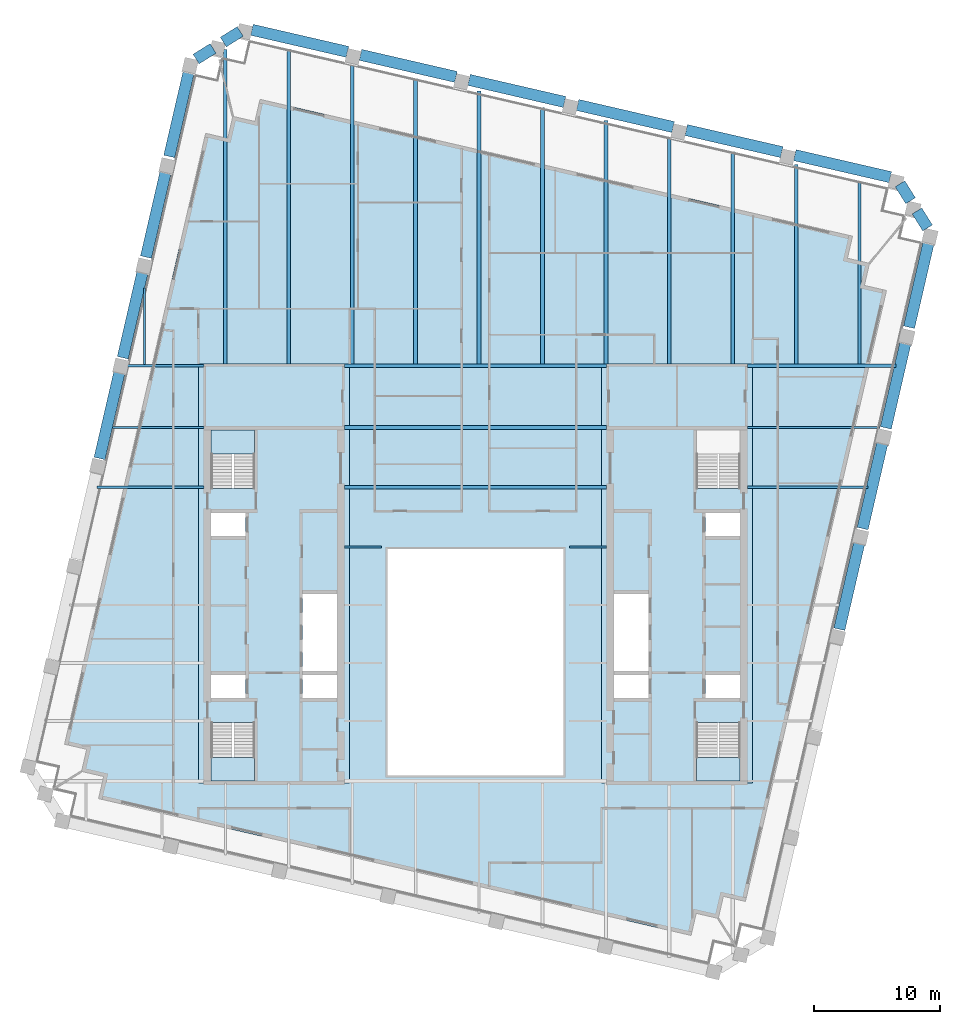
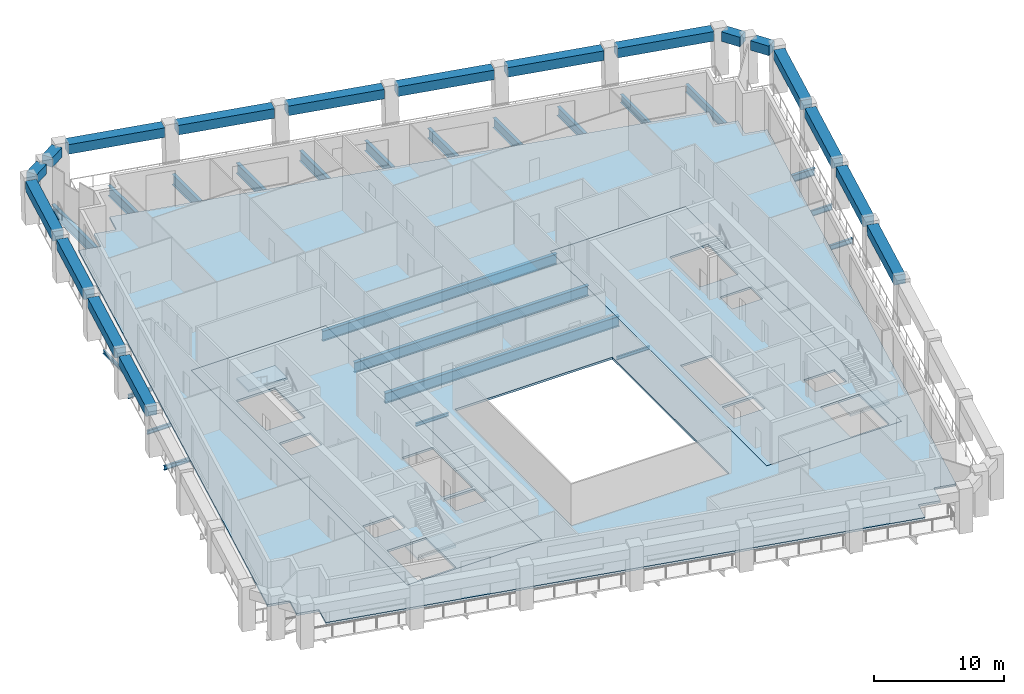
# One storey, part 2 of 10: 41 beams, 6 slabs, 3 elements without a shape of their own.
"""IFC4 building model written with IfcOpenShell, lengths in metres."""

from ifc_helpers import new_model, si_unit, direction, frame, origin, origin_2d, place, context, subcontext, project, spatial, polyline, rectangle, i_section, outline, extrude, material, layer, layer_set, material_profile, profile_set, type_object, element, aggregate, save


model = new_model("IFC4")

# Units and contexts
model_context = context("Model", 3, precision=1e-05, world=origin(), true_north=direction((0.0, 1.0)))
body_context = subcontext(model_context, "Body", "Model", "MODEL_VIEW")
ifc_project = project(units=[si_unit("LENGTHUNIT", "METRE"), si_unit("AREAUNIT", "SQUARE_METRE"), si_unit("VOLUMEUNIT", "CUBIC_METRE"), si_unit("PLANEANGLEUNIT", "RADIAN"), si_unit("MASSUNIT", "GRAM", prefix="KILO")], contexts=[model_context])

# Site, building, storey
site_placement = place(None, origin())
site = spatial("IfcSite", under=ifc_project, at=site_placement, CompositionType="ELEMENT")
building_placement = place(site_placement, origin())
building = spatial("IfcBuilding", under=site, at=building_placement, Name="Ogive Exchange Tower", CompositionType="ELEMENT")
storey_placement = place(building_placement, frame((0.0, 0.0, 264.0)))
storey = spatial("IfcBuildingStorey", under=building, at=storey_placement, Name="L57", CompositionType="ELEMENT", Elevation=264.0)

# Beams
ifc_material_1 = material(Name="Steel ASTM A992 Gr50", Category="steel")
ifc_material_profile_1 = material_profile(ifc_material_1, i_section(OverallWidth=0.300048828125, OverallDepth=0.969970703125, WebThickness=0.01611328125, FlangeThickness=0.02099609375, at=origin_2d()), Name="W1000x222")
ifc_profile_set_1 = profile_set([ifc_material_profile_1], Name="Steel ASTM A992 Gr50")
beam_type_1 = type_object("IfcBeamType", Name="Floor beam W1000x222", PredefinedType="JOIST", material=ifc_profile_set_1)
beam_1_placement = place(storey_placement, frame((5.3125, 30.695068359375, -0.68505859375), z_axis=(0.0, 1.0, 0.0), x_axis=(-1.0, 0.0, 0.0)))
element("IfcBeam", 1, at=beam_1_placement, inside=storey, type_object=beam_type_1, Name="Floor beam", PredefinedType="JOIST", context=body_context, shape_type="SweptSolid", body=[
    extrude(i_section(OverallWidth=0.300048828125, OverallDepth=0.969970703125, WebThickness=0.01611328125, FlangeThickness=0.02099609375, at=origin_2d()), origin(), (0.0, 0.0, 1.0), 20.3486328125),
])
ifc_material_profile_2 = material_profile(ifc_material_1, i_section(OverallWidth=0.300048828125, OverallDepth=0.97998046875, WebThickness=0.0166015625, FlangeThickness=0.026123046875, at=origin_2d()), Name="W1000x249")
ifc_profile_set_2 = profile_set([ifc_material_profile_2], Name="Steel ASTM A992 Gr50")
beam_type_2 = type_object("IfcBeamType", Name="Floor beam W1000x249", PredefinedType="JOIST", material=ifc_profile_set_2)
for number, where, z_axis, x_axis, name in (
    (2, (-10.419921875, 20.89990234375, -0.68994140625), (1.0, 0.0, 0.0), (0.0, 1.0, 0.0), "Floor beam"),
    (3, (-10.419921875, 25.64501953125, -0.68994140625), (1.0, 0.0, 0.0), (0.0, 1.0, 0.0), "Floor beam"),
):
    element("IfcBeam", number, at=place(storey_placement, frame(where, z_axis=z_axis, x_axis=x_axis)), inside=storey, type_object=beam_type_2, Name=name, PredefinedType="JOIST", context=body_context, shape_type="SweptSolid", body=[
        extrude(i_section(OverallWidth=0.300048828125, OverallDepth=0.97998046875, WebThickness=0.0166015625, FlangeThickness=0.026123046875, at=origin_2d()), origin(), (0.0, 0.0, 1.0), 20.83984375),
    ])
beam_2_placement = place(storey_placement, frame((-19.869384765625, 30.699951171875, -0.68994140625), z_axis=(0.0, 1.0, 0.0), x_axis=(-1.0, 0.0, 0.0)))
element("IfcBeam", 4, at=beam_2_placement, inside=storey, type_object=beam_type_2, Name="Floor beam", PredefinedType="JOIST", context=body_context, shape_type="SweptSolid", body=[
    extrude(i_section(OverallWidth=0.300048828125, OverallDepth=0.97998046875, WebThickness=0.0166015625, FlangeThickness=0.026123046875, at=origin_2d()), origin(), (0.0, 0.0, 1.0), 24.9521484375),
])
beam_3_placement = place(storey_placement, frame((-14.8330078125, 30.699951171875, -0.68994140625), z_axis=(0.0, 1.0, 0.0), x_axis=(-1.0, 0.0, 0.0)))
element("IfcBeam", 5, at=beam_3_placement, inside=storey, type_object=beam_type_2, Name="Floor beam", PredefinedType="JOIST", context=body_context, shape_type="SweptSolid", body=[
    extrude(i_section(OverallWidth=0.300048828125, OverallDepth=0.97998046875, WebThickness=0.0166015625, FlangeThickness=0.026123046875, at=origin_2d()), origin(), (0.0, 0.0, 1.0), 24.99462890625),
])
beam_4_placement = place(storey_placement, frame((-9.796630859375, 30.695068359375, -0.68994140625), z_axis=(0.0, 1.0, 0.0), x_axis=(-1.0, 0.0, 0.0)))
element("IfcBeam", 6, at=beam_4_placement, inside=storey, type_object=beam_type_2, Name="Floor beam", PredefinedType="JOIST", context=body_context, shape_type="SweptSolid", body=[
    extrude(i_section(OverallWidth=0.300048828125, OverallDepth=0.97998046875, WebThickness=0.0166015625, FlangeThickness=0.026123046875, at=origin_2d()), origin(), (0.0, 0.0, 1.0), 23.836669921875),
])
beam_5_placement = place(storey_placement, frame((-4.76025390625, 30.695068359375, -0.68994140625), z_axis=(0.0, 1.0, 0.0), x_axis=(-1.0, 0.0, 0.0)))
element("IfcBeam", 7, at=beam_5_placement, inside=storey, type_object=beam_type_2, Name="Floor beam", PredefinedType="JOIST", context=body_context, shape_type="SweptSolid", body=[
    extrude(i_section(OverallWidth=0.300048828125, OverallDepth=0.97998046875, WebThickness=0.0166015625, FlangeThickness=0.026123046875, at=origin_2d()), origin(), (0.0, 0.0, 1.0), 22.674072265625),
])
beam_6_placement = place(storey_placement, frame((0.276123046875, 30.695068359375, -0.68994140625), z_axis=(0.0, 1.0, 0.0), x_axis=(-1.0, 0.0, 0.0)))
element("IfcBeam", 8, at=beam_6_placement, inside=storey, type_object=beam_type_2, Name="Floor beam", PredefinedType="JOIST", context=body_context, shape_type="SweptSolid", body=[
    extrude(i_section(OverallWidth=0.300048828125, OverallDepth=0.97998046875, WebThickness=0.0166015625, FlangeThickness=0.026123046875, at=origin_2d()), origin(), (0.0, 0.0, 1.0), 21.6611328125),
])
ifc_material_profile_3 = material_profile(ifc_material_1, i_section(OverallWidth=0.1650390625, OverallDepth=0.31005859375, WebThickness=0.005859375, FlangeThickness=0.009765625, at=origin_2d()), Name="W310x38.7")
ifc_profile_set_3 = profile_set([ifc_material_profile_3], Name="Steel ASTM A992 Gr50")
beam_type_3 = type_object("IfcBeamType", Name="Floor beam W310x38.7", PredefinedType="JOIST", material=ifc_profile_set_3)
beam_7_placement = place(storey_placement, frame((-26.305908203125, 30.630615234375, -0.35498046875), z_axis=(0.0, 1.0, 0.0), x_axis=(-1.0, 0.0, 0.0)))
element("IfcBeam", 9, at=beam_7_placement, inside=storey, type_object=beam_type_3, Name="Floor beam", PredefinedType="JOIST", context=body_context, shape_type="SweptSolid", body=[
    extrude(i_section(OverallWidth=0.1650390625, OverallDepth=0.31005859375, WebThickness=0.005859375, FlangeThickness=0.009765625, at=origin_2d()), origin(), (0.0, 0.0, 1.0), 6.104736328125),
])
ifc_material_profile_4 = material_profile(ifc_material_1, i_section(OverallWidth=0.1708984375, OverallDepth=0.35595703125, WebThickness=0.00732421875, FlangeThickness=0.01171875, at=origin_2d()), Name="W360x51")
ifc_profile_set_4 = profile_set([ifc_material_profile_4], Name="Steel ASTM A992 Gr50")
beam_type_4 = type_object("IfcBeamType", Name="Floor beam W360x51", PredefinedType="JOIST", material=ifc_profile_set_4)
beam_8_placement = place(storey_placement, frame((-28.831787109375, 25.64501953125, -0.3779296875), z_axis=(1.0, 0.0, 0.0), x_axis=(0.0, 1.0, 0.0)))
element("IfcBeam", 10, at=beam_8_placement, inside=storey, type_object=beam_type_4, Name="Floor beam", PredefinedType="JOIST", context=body_context, shape_type="SweptSolid", body=[
    extrude(i_section(OverallWidth=0.1708984375, OverallDepth=0.35595703125, WebThickness=0.00732421875, FlangeThickness=0.01171875, at=origin_2d()), origin(), (0.0, 0.0, 1.0), 7.251708984375),
])
ifc_material_profile_5 = material_profile(ifc_material_1, i_section(OverallWidth=0.177978515625, OverallDepth=0.406005859375, WebThickness=0.0078125, FlangeThickness=0.0126953125, at=origin_2d()), Name="W410x60")
ifc_profile_set_5 = profile_set([ifc_material_profile_5], Name="Steel ASTM A992 Gr50")
beam_type_5 = type_object("IfcBeamType", Name="Floor beam W410x60", PredefinedType="JOIST", material=ifc_profile_set_5)
beam_9_placement = place(storey_placement, frame((-30.0771484375, 20.89990234375, -0.403076171875), z_axis=(1.0, 0.0, 0.0), x_axis=(0.0, 1.0, 0.0)))
element("IfcBeam", 11, at=beam_9_placement, inside=storey, type_object=beam_type_5, Name="Floor beam", PredefinedType="JOIST", context=body_context, shape_type="SweptSolid", body=[
    extrude(i_section(OverallWidth=0.177978515625, OverallDepth=0.406005859375, WebThickness=0.0078125, FlangeThickness=0.0126953125, at=origin_2d()), origin(), (0.0, 0.0, 1.0), 8.4970703125),
])
ifc_material_profile_6 = material_profile(ifc_material_1, i_section(OverallWidth=0.19189453125, OverallDepth=0.4619140625, WebThickness=0.010498046875, FlangeThickness=0.017578125, at=origin_2d()), Name="W460x89")
ifc_profile_set_6 = profile_set([ifc_material_profile_6], Name="Steel ASTM A992 Gr50")
beam_type_6 = type_object("IfcBeamType", Name="Floor beam W460x89", PredefinedType="JOIST", material=ifc_profile_set_6)
beam_10_placement = place(storey_placement, frame((21.580078125, 20.89990234375, -0.430908203125), z_axis=(1.0, 0.0, 0.0), x_axis=(0.0, 1.0, 0.0)))
element("IfcBeam", 12, at=beam_10_placement, inside=storey, type_object=beam_type_6, Name="Floor beam", PredefinedType="JOIST", context=body_context, shape_type="SweptSolid", body=[
    extrude(i_section(OverallWidth=0.19189453125, OverallDepth=0.4619140625, WebThickness=0.010498046875, FlangeThickness=0.017578125, at=origin_2d()), origin(), (0.0, 0.0, 1.0), 9.605224609375),
])
ifc_material_profile_7 = material_profile(ifc_material_1, i_section(OverallWidth=0.1669921875, OverallDepth=0.535888671875, WebThickness=0.01025390625, FlangeThickness=0.0166015625, at=origin_2d()), Name="W530x85")
ifc_profile_set_7 = profile_set([ifc_material_profile_7], Name="Steel ASTM A992 Gr50")
beam_type_7 = type_object("IfcBeamType", Name="Floor beam W530x85", PredefinedType="JOIST", material=ifc_profile_set_7)
beam_11_placement = place(storey_placement, frame((21.580078125, 25.64501953125, -0.468017578125), z_axis=(1.0, 0.0, 0.0), x_axis=(0.0, 1.0, 0.0)))
element("IfcBeam", 13, at=beam_11_placement, inside=storey, type_object=beam_type_7, Name="Floor beam", PredefinedType="JOIST", context=body_context, shape_type="SweptSolid", body=[
    extrude(i_section(OverallWidth=0.1669921875, OverallDepth=0.535888671875, WebThickness=0.01025390625, FlangeThickness=0.0166015625, at=origin_2d()), origin(), (0.0, 0.0, 1.0), 10.55078125),
])
ifc_material_profile_8 = material_profile(ifc_material_1, i_section(OverallWidth=0.26708984375, OverallDepth=0.75390625, WebThickness=0.01318359375, FlangeThickness=0.01708984375, at=origin_2d()), Name="W760x147")
ifc_profile_set_8 = profile_set([ifc_material_profile_8], Name="Steel ASTM A992 Gr50")
beam_type_8 = type_object("IfcBeamType", Name="Floor beam W760x147", PredefinedType="JOIST", material=ifc_profile_set_8)
beam_12_placement = place(storey_placement, frame((30.494384765625, 30.672119140625, -0.576904296875), z_axis=(0.0, 1.0, 0.0), x_axis=(-1.0, 0.0, 0.0)))
element("IfcBeam", 14, at=beam_12_placement, inside=storey, type_object=beam_type_8, Name="Floor beam", PredefinedType="JOIST", context=body_context, shape_type="SweptSolid", body=[
    extrude(i_section(OverallWidth=0.26708984375, OverallDepth=0.75390625, WebThickness=0.01318359375, FlangeThickness=0.01708984375, at=origin_2d()), origin(), (0.0, 0.0, 1.0), 14.557861328125),
])
ifc_material_profile_9 = material_profile(ifc_material_1, i_section(OverallWidth=0.26708984375, OverallDepth=0.761962890625, WebThickness=0.014404296875, FlangeThickness=0.021484375, at=origin_2d()), Name="W760x173")
ifc_profile_set_9 = profile_set([ifc_material_profile_9], Name="Steel ASTM A992 Gr50")
beam_type_9 = type_object("IfcBeamType", Name="Floor beam W760x173", PredefinedType="JOIST", material=ifc_profile_set_9)
beam_13_placement = place(storey_placement, frame((25.4580078125, 30.672119140625, -0.5810546875), z_axis=(0.0, 1.0, 0.0), x_axis=(-1.0, 0.0, 0.0)))
element("IfcBeam", 15, at=beam_13_placement, inside=storey, type_object=beam_type_9, Name="Floor beam", PredefinedType="JOIST", context=body_context, shape_type="SweptSolid", body=[
    extrude(i_section(OverallWidth=0.26708984375, OverallDepth=0.761962890625, WebThickness=0.014404296875, FlangeThickness=0.021484375, at=origin_2d()), origin(), (0.0, 0.0, 1.0), 15.870361328125),
])
ifc_material_profile_10 = material_profile(ifc_material_1, i_section(OverallWidth=0.2919921875, OverallDepth=0.8359375, WebThickness=0.013916015625, FlangeThickness=0.018798828125, at=origin_2d()), Name="W840x176")
ifc_profile_set_10 = profile_set([ifc_material_profile_10], Name="Steel ASTM A992 Gr50")
beam_type_10 = type_object("IfcBeamType", Name="Floor beam W840x176", PredefinedType="JOIST", material=ifc_profile_set_10)
beam_14_placement = place(storey_placement, frame((20.421630859375, 30.699951171875, -0.617919921875), z_axis=(0.0, 1.0, 0.0), x_axis=(-1.0, 0.0, 0.0)))
element("IfcBeam", 16, at=beam_14_placement, inside=storey, type_object=beam_type_10, Name="Floor beam", PredefinedType="JOIST", context=body_context, shape_type="SweptSolid", body=[
    extrude(i_section(OverallWidth=0.2919921875, OverallDepth=0.8359375, WebThickness=0.013916015625, FlangeThickness=0.018798828125, at=origin_2d()), origin(), (0.0, 0.0, 1.0), 16.85546875),
])
ifc_material_profile_11 = material_profile(ifc_material_1, i_section(OverallWidth=0.304931640625, OverallDepth=0.904052734375, WebThickness=0.01513671875, FlangeThickness=0.02001953125, at=origin_2d()), Name="W920x201")
ifc_profile_set_11 = profile_set([ifc_material_profile_11], Name="Steel ASTM A992 Gr50")
beam_type_11 = type_object("IfcBeamType", Name="Floor beam W920x201", PredefinedType="JOIST", material=ifc_profile_set_11)
beam_15_placement = place(storey_placement, frame((15.38525390625, 30.699951171875, -0.652099609375), z_axis=(0.0, 1.0, 0.0), x_axis=(-1.0, 0.0, 0.0)))
element("IfcBeam", 17, at=beam_15_placement, inside=storey, type_object=beam_type_11, Name="Floor beam", PredefinedType="JOIST", context=body_context, shape_type="SweptSolid", body=[
    extrude(i_section(OverallWidth=0.304931640625, OverallDepth=0.904052734375, WebThickness=0.01513671875, FlangeThickness=0.02001953125, at=origin_2d()), origin(), (0.0, 0.0, 1.0), 18.01806640625),
])
ifc_material_profile_12 = material_profile(ifc_material_1, i_section(OverallWidth=0.306884765625, OverallDepth=0.927001953125, WebThickness=0.019287109375, FlangeThickness=0.031982421875, at=origin_2d()), Name="W920x289")
ifc_profile_set_12 = profile_set([ifc_material_profile_12], Name="Steel ASTM A992 Gr50")
beam_type_12 = type_object("IfcBeamType", Name="Floor beam W920x289", PredefinedType="JOIST", material=ifc_profile_set_12)
beam_16_placement = place(storey_placement, frame((10.348876953125, 30.695068359375, -0.66357421875), z_axis=(0.0, 1.0, 0.0), x_axis=(-1.0, 0.0, 0.0)))
element("IfcBeam", 18, at=beam_16_placement, inside=storey, type_object=beam_type_12, Name="Floor beam", PredefinedType="JOIST", context=body_context, shape_type="SweptSolid", body=[
    extrude(i_section(OverallWidth=0.306884765625, OverallDepth=0.927001953125, WebThickness=0.019287109375, FlangeThickness=0.031982421875, at=origin_2d()), origin(), (0.0, 0.0, 1.0), 19.335693359375),
])
ifc_material_profile_13 = material_profile(ifc_material_1, i_section(OverallWidth=0.300048828125, OverallDepth=0.97998046875, WebThickness=0.0166015625, FlangeThickness=0.026123046875, at=origin_2d()), Name="W1000x249")
ifc_profile_set_13 = profile_set([ifc_material_profile_13], Name="Steel ASTM A992 Gr50")
beam_type_13 = type_object("IfcBeamType", Name="Girder W1000x249", PredefinedType="BEAM", material=ifc_profile_set_13)
beam_17_placement = place(storey_placement, frame((-10.419921875, 30.544921875, -0.68994140625), z_axis=(1.0, 0.0, 0.0), x_axis=(0.0, 1.0, 0.0)))
element("IfcBeam", 19, at=beam_17_placement, inside=storey, type_object=beam_type_13, Name="Header girder", PredefinedType="BEAM", context=body_context, shape_type="SweptSolid", body=[
    extrude(i_section(OverallWidth=0.300048828125, OverallDepth=0.97998046875, WebThickness=0.0166015625, FlangeThickness=0.026123046875, at=origin_2d()), origin(), (0.0, 0.0, 1.0), 20.83984375),
])
ifc_material_profile_14 = material_profile(ifc_material_1, i_section(OverallWidth=0.1650390625, OverallDepth=0.31005859375, WebThickness=0.005859375, FlangeThickness=0.009765625, at=origin_2d()), Name="W310x38.7")
ifc_profile_set_14 = profile_set([ifc_material_profile_14], Name="Steel ASTM A992 Gr50")
beam_type_14 = type_object("IfcBeamType", Name="Girder W310x38.7", PredefinedType="BEAM", material=ifc_profile_set_14)
for number, where, z_axis, x_axis, name in (
    (20, (-10.419921875, 16.155029296875, -0.35498046875), (1.0, 0.0, 0.0), (0.0, 1.0, 0.0), "Trimmer girder"),
    (21, (7.469970703125, 16.155029296875, -0.35498046875), (1.0, 0.0, 0.0), (0.0, 1.0, 0.0), "Trimmer girder"),
):
    element("IfcBeam", number, at=place(storey_placement, frame(where, z_axis=z_axis, x_axis=x_axis)), inside=storey, type_object=beam_type_14, Name=name, PredefinedType="BEAM", context=body_context, shape_type="SweptSolid", body=[
        extrude(i_section(OverallWidth=0.1650390625, OverallDepth=0.31005859375, WebThickness=0.005859375, FlangeThickness=0.009765625, at=origin_2d()), origin(), (0.0, 0.0, 1.0), 2.949951171875),
    ])
ifc_material_profile_15 = material_profile(ifc_material_1, i_section(OverallWidth=0.1708984375, OverallDepth=0.35595703125, WebThickness=0.00732421875, FlangeThickness=0.01171875, at=origin_2d()), Name="W360x51")
ifc_profile_set_15 = profile_set([ifc_material_profile_15], Name="Steel ASTM A992 Gr50")
beam_type_15 = type_object("IfcBeamType", Name="Girder W360x51", PredefinedType="BEAM", material=ifc_profile_set_15)
beam_18_placement = place(storey_placement, frame((-27.700439453125, 30.544921875, -0.3779296875), z_axis=(1.0, 0.0, 0.0), x_axis=(0.0, 1.0, 0.0)))
element("IfcBeam", 22, at=beam_18_placement, inside=storey, type_object=beam_type_15, Name="Header girder", PredefinedType="BEAM", context=body_context, shape_type="SweptSolid", body=[
    extrude(i_section(OverallWidth=0.1708984375, OverallDepth=0.35595703125, WebThickness=0.00732421875, FlangeThickness=0.01171875, at=origin_2d()), origin(), (0.0, 0.0, 1.0), 6.120361328125),
])
ifc_material_profile_16 = material_profile(ifc_material_1, i_section(OverallWidth=0.25390625, OverallDepth=0.677978515625, WebThickness=0.01171875, FlangeThickness=0.016357421875, at=origin_2d()), Name="W690x125")
ifc_profile_set_16 = profile_set([ifc_material_profile_16], Name="Steel ASTM A992 Gr50")
beam_type_16 = type_object("IfcBeamType", Name="Girder W690x125", PredefinedType="BEAM", material=ifc_profile_set_16)
beam_19_placement = place(storey_placement, frame((21.580078125, 30.544921875, -0.5390625), z_axis=(1.0, 0.0, 0.0), x_axis=(0.0, 1.0, 0.0)))
element("IfcBeam", 23, at=beam_19_placement, inside=storey, type_object=beam_type_16, Name="Header girder", PredefinedType="BEAM", context=body_context, shape_type="SweptSolid", body=[
    extrude(i_section(OverallWidth=0.25390625, OverallDepth=0.677978515625, WebThickness=0.01171875, FlangeThickness=0.016357421875, at=origin_2d()), origin(), (0.0, 0.0, 1.0), 11.83203125),
])
ifc_material_2 = material(Name="Precast concrete C70/85 (limestone faced)", Category="masonry")
ifc_material_profile_17 = material_profile(ifc_material_2, rectangle(XDim=0.89990234375, YDim=0.89990234375, at=origin_2d()), Name="900 x 900")
ifc_profile_set_17 = profile_set([ifc_material_profile_17], Name="Precast concrete C70/85 (limestone faced)")
beam_type_17 = type_object("IfcBeamType", Name="Precast spandrel 900 x 900 C70/85", PredefinedType="SPANDREL", material=ifc_profile_set_17)
for number, where, z_axis, x_axis, name in (
    (24, (28.892578125, 9.618408203125, 3.5), (0.22496181737, 0.974367579882, 0.0), (-0.974367579882, 0.22496181737, 0.0), "Spandrel 12"),
    (25, (30.73828125, 17.61328125, 3.5), (0.22496181737, 0.974367579882, 0.0), (-0.974367579882, 0.22496181737, 0.0), "Spandrel 13"),
):
    element("IfcBeam", number, at=place(storey_placement, frame(where, z_axis=z_axis, x_axis=x_axis)), inside=storey, type_object=beam_type_17, Name=name, PredefinedType="SPANDREL", context=body_context, shape_type="SweptSolid", body=[
        extrude(rectangle(XDim=0.89990234375, YDim=0.89990234375, at=origin_2d()), origin(), (0.0, 0.0, 1.0), 7.145263671875),
    ])
for number, where, z_axis, x_axis, name in (
    (26, (32.584228515625, 25.6083984375, 3.5), (0.224936866947, 0.974373340095, 0.0), (-0.974373340095, 0.224936866947, 0.0), "Spandrel 14"),
    (27, (34.429931640625, 33.603271484375, 3.5), (0.224936866947, 0.974373340095, 0.0), (-0.974373340095, 0.224936866947, 0.0), "Spandrel 15"),
):
    element("IfcBeam", number, at=place(storey_placement, frame(where, z_axis=z_axis, x_axis=x_axis)), inside=storey, type_object=beam_type_17, Name=name, PredefinedType="SPANDREL", context=body_context, shape_type="SweptSolid", body=[
        extrude(rectangle(XDim=0.89990234375, YDim=0.89990234375, at=origin_2d()), origin(), (0.0, 0.0, 1.0), 7.14501953125),
    ])
beam_20_placement = place(storey_placement, frame((35.9033203125, 41.48681640625, 3.5), z_axis=(-0.529902320601, 0.848058683477, 0.0), x_axis=(-0.848058683477, -0.529902320601, 0.0)))
element("IfcBeam", 28, at=beam_20_placement, inside=storey, type_object=beam_type_17, Name="Spandrel 16", PredefinedType="SPANDREL", context=body_context, shape_type="SweptSolid", body=[
    extrude(rectangle(XDim=0.89990234375, YDim=0.89990234375, at=origin_2d()), origin(), (0.0, 0.0, 1.0), 1.590087890625),
])
beam_21_placement = place(storey_placement, frame((34.55419921875, 43.645751953125, 3.5), z_axis=(-0.529860880967, 0.848084575276, 0.0), x_axis=(-0.848084575276, -0.529860880967, 0.0)))
element("IfcBeam", 29, at=beam_21_placement, inside=storey, type_object=beam_type_17, Name="Spandrel 17", PredefinedType="SPANDREL", context=body_context, shape_type="SweptSolid", body=[
    extrude(rectangle(XDim=0.89990234375, YDim=0.89990234375, at=origin_2d()), origin(), (0.0, 0.0, 1.0), 1.589599609375),
])
beam_22_placement = place(storey_placement, frame((32.942138671875, 45.5185546875, 3.5), z_axis=(-0.974374818602, 0.224930462307, 0.0), x_axis=(-0.224930462307, -0.974374818602, 0.0)))
element("IfcBeam", 30, at=beam_22_placement, inside=storey, type_object=beam_type_17, Name="Spandrel 18", PredefinedType="SPANDREL", context=body_context, shape_type="SweptSolid", body=[
    extrude(rectangle(XDim=0.89990234375, YDim=0.89990234375, at=origin_2d()), origin(), (0.0, 0.0, 1.0), 7.7900390625),
])
beam_23_placement = place(storey_placement, frame((24.319091796875, 47.50927734375, 3.5), z_axis=(-0.974369535382, 0.224953347431, 0.0), x_axis=(-0.224953347431, -0.974369535382, 0.0)))
element("IfcBeam", 31, at=beam_23_placement, inside=storey, type_object=beam_type_17, Name="Spandrel 19", PredefinedType="SPANDREL", context=body_context, shape_type="SweptSolid", body=[
    extrude(rectangle(XDim=0.89990234375, YDim=0.89990234375, at=origin_2d()), origin(), (0.0, 0.0, 1.0), 7.790283203125),
])
beam_24_placement = place(storey_placement, frame((15.69580078125, 49.5, 3.5), z_axis=(-0.974367949416, 0.224960216819, 0.0), x_axis=(-0.224960216819, -0.974367949416, 0.0)))
element("IfcBeam", 32, at=beam_24_placement, inside=storey, type_object=beam_type_17, Name="Spandrel 20", PredefinedType="SPANDREL", context=body_context, shape_type="SweptSolid", body=[
    extrude(rectangle(XDim=0.89990234375, YDim=0.89990234375, at=origin_2d()), origin(), (0.0, 0.0, 1.0), 7.7900390625),
])
beam_25_placement = place(storey_placement, frame((7.072509765625, 51.490966796875, 3.5), z_axis=(-0.974366363305, 0.224967086616, 0.0), x_axis=(-0.224967086616, -0.974366363305, 0.0)))
element("IfcBeam", 33, at=beam_25_placement, inside=storey, type_object=beam_type_17, Name="Spandrel 21", PredefinedType="SPANDREL", context=body_context, shape_type="SweptSolid", body=[
    extrude(rectangle(XDim=0.89990234375, YDim=0.89990234375, at=origin_2d()), origin(), (0.0, 0.0, 1.0), 7.789794921875),
])
beam_26_placement = place(storey_placement, frame((-1.550537109375, 53.481689453125, 3.5), z_axis=(-0.974367949416, 0.224960216819, 0.0), x_axis=(-0.224960216819, -0.974367949416, 0.0)))
element("IfcBeam", 34, at=beam_26_placement, inside=storey, type_object=beam_type_17, Name="Spandrel 22", PredefinedType="SPANDREL", context=body_context, shape_type="SweptSolid", body=[
    extrude(rectangle(XDim=0.89990234375, YDim=0.89990234375, at=origin_2d()), origin(), (0.0, 0.0, 1.0), 7.7900390625),
])
beam_27_placement = place(storey_placement, frame((-10.173583984375, 55.47265625, 3.5), z_axis=(-0.97437640416, 0.22492359373, 0.0), x_axis=(-0.22492359373, -0.97437640416, 0.0)))
element("IfcBeam", 35, at=beam_27_placement, inside=storey, type_object=beam_type_17, Name="Spandrel 23", PredefinedType="SPANDREL", context=body_context, shape_type="SweptSolid", body=[
    extrude(rectangle(XDim=0.89990234375, YDim=0.89990234375, at=origin_2d()), origin(), (0.0, 0.0, 1.0), 7.790283203125),
])
for number, where, z_axis, x_axis, name in (
    (36, (-18.685791015625, 57.0908203125, 3.5), (-0.848058683477, -0.529902320601, 0.0), (0.529902320601, -0.848058683477, 0.0), "Spandrel 24"),
    (37, (-20.844482421875, 55.741943359375, 3.5), (-0.848058683477, -0.529902320601, 0.0), (0.529902320601, -0.848058683477, 0.0), "Spandrel 25"),
):
    element("IfcBeam", number, at=place(storey_placement, frame(where, z_axis=z_axis, x_axis=x_axis)), inside=storey, type_object=beam_type_17, Name=name, PredefinedType="SPANDREL", context=body_context, shape_type="SweptSolid", body=[
        extrude(rectangle(XDim=0.89990234375, YDim=0.89990234375, at=origin_2d()), origin(), (0.0, 0.0, 1.0), 1.590087890625),
    ])
for number, where, z_axis, x_axis, name in (
    (38, (-22.71728515625, 54.1298828125, 3.5), (-0.22496181737, -0.974367579882, 0.0), (0.974367579882, -0.22496181737, 0.0), "Spandrel 26"),
    (39, (-24.56298828125, 46.135009765625, 3.5), (-0.22496181737, -0.974367579882, 0.0), (0.974367579882, -0.22496181737, 0.0), "Spandrel 27"),
):
    element("IfcBeam", number, at=place(storey_placement, frame(where, z_axis=z_axis, x_axis=x_axis)), inside=storey, type_object=beam_type_17, Name=name, PredefinedType="SPANDREL", context=body_context, shape_type="SweptSolid", body=[
        extrude(rectangle(XDim=0.89990234375, YDim=0.89990234375, at=origin_2d()), origin(), (0.0, 0.0, 1.0), 7.145263671875),
    ])
for number, where, z_axis, x_axis, name in (
    (40, (-26.40869140625, 38.139892578125, 3.5), (-0.224969307075, -0.97436585063, 0.0), (0.97436585063, -0.224969307075, 0.0), "Spandrel 28"),
    (41, (-28.254638671875, 30.14501953125, 3.5), (-0.224936866947, -0.974373340095, 0.0), (0.974373340095, -0.224936866947, 0.0), "Spandrel 29"),
):
    element("IfcBeam", number, at=place(storey_placement, frame(where, z_axis=z_axis, x_axis=x_axis)), inside=storey, type_object=beam_type_17, Name=name, PredefinedType="SPANDREL", context=body_context, shape_type="SweptSolid", body=[
        extrude(rectangle(XDim=0.89990234375, YDim=0.89990234375, at=origin_2d()), origin(), (0.0, 0.0, 1.0), 7.14501953125),
    ])

# Slabs
ifc_material_3 = material(Name="Concrete C50/60", Category="concrete")
ifc_layer_1 = layer(ifc_material_3, 0.199951171875)
ifc_layer_set_1 = layer_set([ifc_layer_1], Name="Composite floor slab 200")
slab_type_1 = type_object("IfcSlabType", Name="Composite floor slab 200", PredefinedType="FLOOR", material=ifc_layer_set_1)
slab_1_placement = place(storey_placement, frame((0.0, 0.0, -0.199951171875)))
element("IfcSlab", 42, at=slab_1_placement, inside=storey, type_object=slab_type_1, Name="Composite floor slab", PredefinedType="FLOOR", context=body_context, shape_type="SweptSolid", body=[
    extrude(outline(polyline([(-29.537109375, -2.0830078125), (-31.291015625, -1.67822265625), (-30.88623046875, 0.07568359375), (-32.64013671875, 0.480712890625), (-21.4375, 49.004150390625), (-19.68359375, 48.599365234375), (-19.27880859375, 50.353271484375), (-17.52490234375, 49.9482421875), (-17.119873046875, 51.7021484375), (29.942138671875, 40.8369140625), (29.537109375, 39.0830078125), (31.291015625, 38.67822265625), (30.88623046875, 36.92431640625), (32.64013671875, 36.519287109375), (21.4375, -12.004150390625), (19.68359375, -11.599365234375), (19.27880859375, -13.353271484375), (17.52490234375, -12.9482421875), (17.119873046875, -14.7021484375), (-29.942138671875, -3.8369140625), (-29.537109375, -2.0830078125)]), holes=[polyline([(7.0, -2.0), (7.0, 16.0), (-7.0, 16.0), (-7.0, -2.0), (7.0, -2.0)]), polyline([(-22.0, -2.60009765625), (-10.0, -2.60009765625), (-10.0, 30.699951171875), (-22.0, 30.699951171875), (-22.0, -2.60009765625)]), polyline([(10.0, -2.60009765625), (22.0, -2.60009765625), (22.0, 30.699951171875), (10.0, 30.699951171875), (10.0, -2.60009765625)])]), origin(), (0.0, 0.0, 1.0), 0.199951171875),
])
ifc_material_4 = material(Name="Concrete C70/85", Category="concrete")
ifc_layer_2 = layer(ifc_material_4, 0.199951171875)
ifc_layer_set_2 = layer_set([ifc_layer_2], Name="Core floor slab 200")
slab_type_2 = type_object("IfcSlabType", Name="Core floor slab 200", PredefinedType="FLOOR", material=ifc_layer_set_2)
slab_2_placement = place(storey_placement, frame((0.0, 0.0, -0.199951171875)))
element("IfcSlab", 43, at=slab_2_placement, inside=storey, type_object=slab_type_2, Name="Core floor slab", PredefinedType="FLOOR", context=body_context, shape_type="SweptSolid", body=[
    extrude(outline(polyline([(-22.0, -2.60009765625), (-22.0, 30.699951171875), (-10.0, 30.699951171875), (-10.0, -2.60009765625), (-22.0, -2.60009765625)]), holes=[polyline([(-17.550048828125, 2.196044921875), (-21.0, 2.196044921875), (-21.0, -2.449951171875), (-17.550048828125, -2.449951171875), (-17.550048828125, 2.196044921875)]), polyline([(-18.25, 5.992919921875), (-21.0, 5.992919921875), (-21.0, 4.14990234375), (-18.25, 4.14990234375), (-18.25, 5.992919921875)]), polyline([(-11.0, 5.992919921875), (-13.75, 5.992919921875), (-13.75, 4.14990234375), (-11.0, 4.14990234375), (-11.0, 5.992919921875)]), polyline([(-13.75, 12.42138671875), (-13.75, 6.29296875), (-11.0, 6.29296875), (-11.0, 12.42138671875), (-13.75, 12.42138671875)]), polyline([(-18.25, 18.85009765625), (-21.0, 18.85009765625), (-21.0, 17.007080078125), (-18.25, 17.007080078125), (-18.25, 18.85009765625)]), polyline([(-21.0, 25.449951171875), (-21.0, 20.803955078125), (-17.550048828125, 20.803955078125), (-17.550048828125, 25.449951171875), (-21.0, 25.449951171875)])]), origin(), (0.0, 0.0, 1.0), 0.199951171875),
])
slab_3_placement = place(storey_placement, frame((0.0, 0.0, -0.199951171875)))
element("IfcSlab", 44, at=slab_3_placement, inside=storey, type_object=slab_type_2, Name="Core floor slab", PredefinedType="FLOOR", context=body_context, shape_type="SweptSolid", body=[
    extrude(outline(polyline([(10.0, -2.60009765625), (10.0, 30.699951171875), (22.0, 30.699951171875), (22.0, -2.60009765625), (10.0, -2.60009765625)]), holes=[polyline([(21.0, 2.196044921875), (17.550048828125, 2.196044921875), (17.550048828125, -2.449951171875), (21.0, -2.449951171875), (21.0, 2.196044921875)]), polyline([(13.75, 5.992919921875), (11.0, 5.992919921875), (11.0, 4.14990234375), (13.75, 4.14990234375), (13.75, 5.992919921875)]), polyline([(21.0, 5.992919921875), (18.25, 5.992919921875), (18.25, 4.14990234375), (21.0, 4.14990234375), (21.0, 5.992919921875)]), polyline([(11.0, 12.42138671875), (11.0, 6.29296875), (13.75, 6.29296875), (13.75, 12.42138671875), (11.0, 12.42138671875)]), polyline([(21.0, 18.85009765625), (18.25, 18.85009765625), (18.25, 17.007080078125), (21.0, 17.007080078125), (21.0, 18.85009765625)]), polyline([(17.550048828125, 25.449951171875), (17.550048828125, 20.803955078125), (21.0, 20.803955078125), (21.0, 25.449951171875), (17.550048828125, 25.449951171875)])]), origin(), (0.0, 0.0, 1.0), 0.199951171875),
])

# Stair, slab
ifc_material_5 = material(Name="Concrete C40/50", Category="concrete")
stair_type = type_object("IfcStairType", Name="Exit stair 1650 wide", PredefinedType="HALF_TURN_STAIR", material=ifc_material_5)
stair_1_placement = place(storey_placement, origin())
stair_1 = element("IfcStair", 45, at=stair_1_placement, inside=storey, type_object=stair_type, Name="L57 exit stair ST1", PredefinedType="HALF_TURN_STAIR")
ifc_layer_3 = layer(ifc_material_5, 0.199951171875)
ifc_layer_set_3 = layer_set([ifc_layer_3], Name="Stair landing 200 slab")
slab_type_3 = type_object("IfcSlabType", Name="Stair landing 200 slab", PredefinedType="LANDING", material=ifc_layer_set_3)
slab_4_placement = place(storey_placement, frame((0.0, 0.0, 1.89990234375)))
slab_4 = element("IfcSlab", 46, at=slab_4_placement, type_object=slab_type_3, Name="ST1 landing 1", PredefinedType="LANDING", context=body_context, shape_type="SweptSolid", body=[
    extrude(outline(polyline([(-21.0, -0.550048828125), (-21.0, -2.449951171875), (-17.550048828125, -2.449951171875), (-17.550048828125, -0.550048828125), (-21.0, -0.550048828125)])), origin(), (0.0, 0.0, 1.0), 0.2001953125),
])
aggregate(stair_1, [slab_4])

stair_2_placement = place(storey_placement, origin())
stair_2 = element("IfcStair", 47, at=stair_2_placement, inside=storey, type_object=stair_type, Name="L57 exit stair ST2", PredefinedType="HALF_TURN_STAIR")
slab_5_placement = place(storey_placement, frame((0.0, 0.0, 1.89990234375)))
slab_5 = element("IfcSlab", 48, at=slab_5_placement, type_object=slab_type_3, Name="ST2 landing 1", PredefinedType="LANDING", context=body_context, shape_type="SweptSolid", body=[
    extrude(outline(polyline([(-17.550048828125, 23.550048828125), (-17.550048828125, 25.449951171875), (-21.0, 25.449951171875), (-21.0, 23.550048828125), (-17.550048828125, 23.550048828125)])), origin(), (0.0, 0.0, 1.0), 0.2001953125),
])
aggregate(stair_2, [slab_5])

stair_3_placement = place(storey_placement, origin())
stair_3 = element("IfcStair", 49, at=stair_3_placement, inside=storey, type_object=stair_type, Name="L57 exit stair ST3", PredefinedType="HALF_TURN_STAIR")
slab_6_placement = place(storey_placement, frame((0.0, 0.0, 1.89990234375)))
slab_6 = element("IfcSlab", 50, at=slab_6_placement, type_object=slab_type_3, Name="ST3 landing 1", PredefinedType="LANDING", context=body_context, shape_type="SweptSolid", body=[
    extrude(outline(polyline([(17.550048828125, -0.550048828125), (17.550048828125, -2.449951171875), (21.0, -2.449951171875), (21.0, -0.550048828125), (17.550048828125, -0.550048828125)])), origin(), (0.0, 0.0, 1.0), 0.2001953125),
])
aggregate(stair_3, [slab_6])

save(model, "model.ifc")
